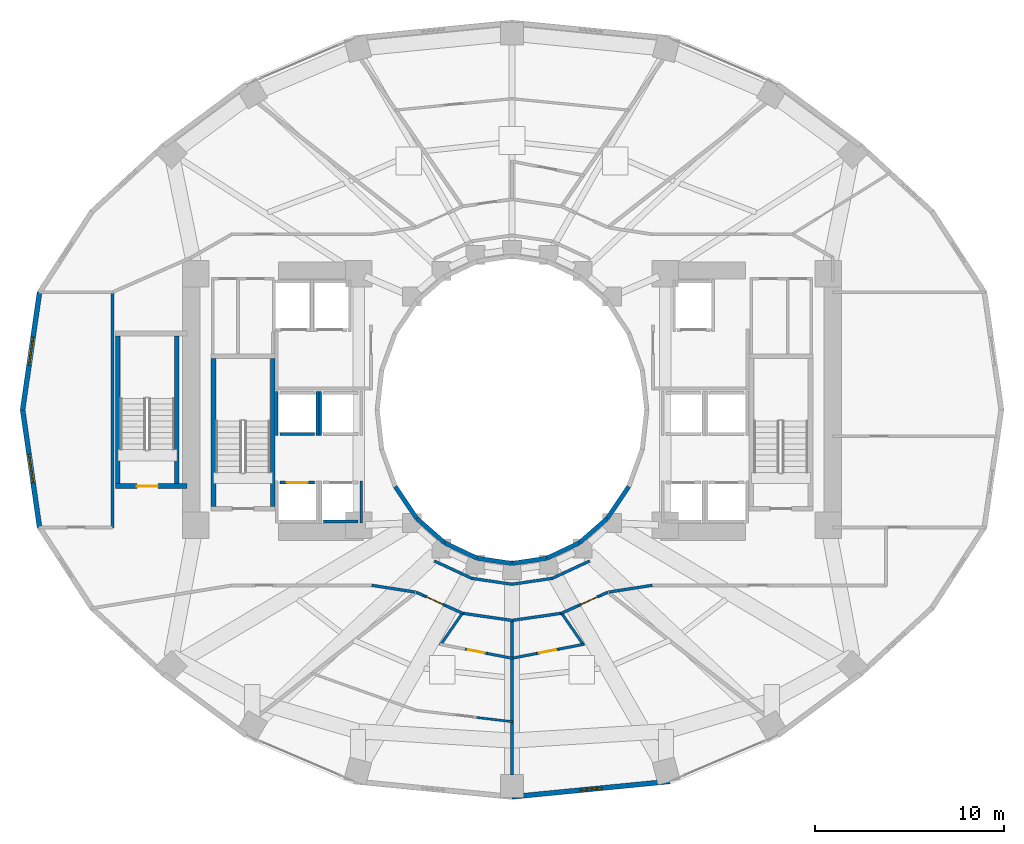
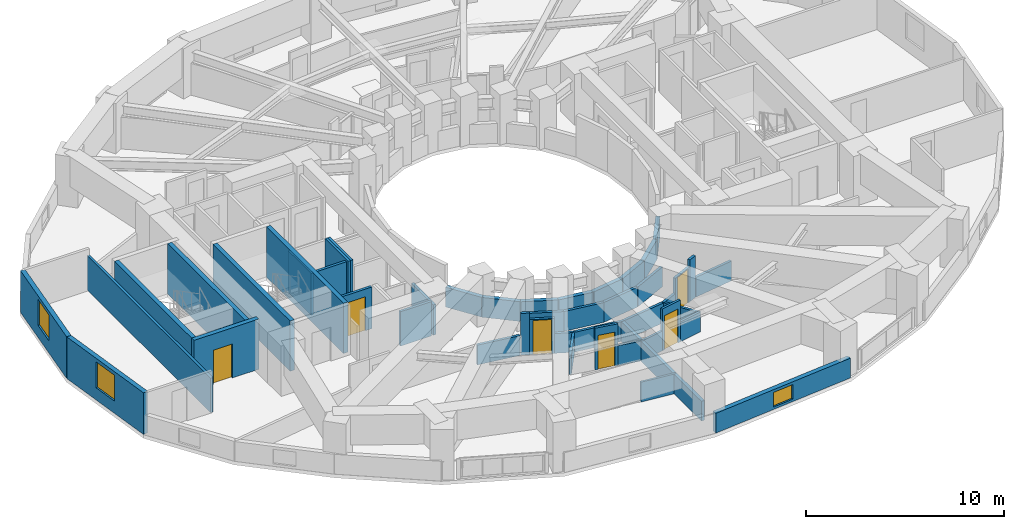
# One storey, part 9 of 16: 47 walls, 6 doors, 3 windows, 9 openings.
"""IFC4 building model written with IfcOpenShell, lengths in metres."""

from ifc_helpers import new_model, si_unit, direction, frame, frame_2d, origin, place, context, subcontext, project, spatial, rectangle, extrude, material, layer, layer_set, type_object, element, fill, save


model = new_model("IFC4")

# Units and contexts
model_context = context("Model", 3, precision=1e-05, world=origin(), true_north=direction((0.0, 1.0)))
body_context = subcontext(model_context, "Body", "Model", "MODEL_VIEW")
ifc_project = project(units=[si_unit("LENGTHUNIT", "METRE"), si_unit("AREAUNIT", "SQUARE_METRE"), si_unit("VOLUMEUNIT", "CUBIC_METRE"), si_unit("PLANEANGLEUNIT", "RADIAN"), si_unit("MASSUNIT", "GRAM", prefix="KILO")], contexts=[model_context])

# Site, building, storey
site_placement = place(None, origin())
site = spatial("IfcSite", under=ifc_project, at=site_placement, CompositionType="ELEMENT")
building_placement = place(site_placement, origin())
building = spatial("IfcBuilding", under=site, at=building_placement, Name="Solvane Sanctuary Tower", CompositionType="ELEMENT")
storey_placement = place(building_placement, frame((0.0, 0.0, 33.800048828125)))
storey = spatial("IfcBuildingStorey", under=building, at=storey_placement, Name="L09", CompositionType="ELEMENT", Elevation=33.800048828125)

# Walls
ifc_material_1 = material(Name="Acoustic Gypsum Partition Board")
ifc_layer_1 = layer(ifc_material_1, 0.14990234375, Name="Acoustic Gypsum Partition Board")
ifc_layer_set_1 = layer_set([ifc_layer_1], Name="Acoustic Gypsum Partition Board")
wall_type_1 = type_object("IfcWallType", Name="Wall W-CORR-150", PredefinedType="PARTITIONING", material=ifc_layer_set_1)
wall_1_placement = place(storey_placement, frame((27.889892578125, 15.01513671875, 0.0), z_axis=(0.0, 0.0, 1.0), x_axis=(0.906943449489, -0.421252393975, 0.0)))
element("IfcWall", 1, at=wall_1_placement, inside=storey, type_object=wall_type_1, Name="L09 Light-Well Corridor Rim Wall S1", PredefinedType="PARTITIONING", context=body_context, shape_type="SweptSolid", body=[
    extrude(rectangle(XDim=2.18603515625, YDim=0.14990234375, at=frame_2d((1.093017578125, 0.0))), origin(), (0.0, 0.0, 1.0), 1.219970703125),
])
for number, where, z_axis, x_axis, name in (
    (2, (29.87255859375, 14.09423828125, 0.0), (0.0, 0.0, 1.0), (0.989268584896, -0.146108408166, 0.0), "L09 Light-Well Corridor Rim Wall S2"),
    (3, (32.0, 13.780029296875, 0.0), (0.0, 0.0, 1.0), (0.989268584896, 0.146108408166, 0.0), "L09 Light-Well Corridor Rim Wall S3"),
):
    element("IfcWall", number, at=place(storey_placement, frame(where, z_axis=z_axis, x_axis=x_axis)), inside=storey, type_object=wall_type_1, Name=name, PredefinedType="PARTITIONING", context=body_context, shape_type="SweptSolid", body=[
        extrude(rectangle(XDim=2.150634765625, YDim=0.14990234375, at=frame_2d((1.0751953125, 0.0))), origin(), (0.0, 0.0, 1.0), 1.219970703125),
    ])
wall_2_placement = place(storey_placement, frame((34.12744140625, 14.09423828125, 0.0), z_axis=(0.0, 0.0, 1.0), x_axis=(0.906943449489, 0.421252393975, 0.0)))
element("IfcWall", 4, at=wall_2_placement, inside=storey, type_object=wall_type_1, Name="L09 Light-Well Corridor Rim Wall S4", PredefinedType="PARTITIONING", context=body_context, shape_type="SweptSolid", body=[
    extrude(rectangle(XDim=2.18603515625, YDim=0.14990234375, at=frame_2d((1.093017578125, 0.0))), origin(), (0.0, 0.0, 1.0), 1.219970703125),
])
wall_3_placement = place(storey_placement, frame((10.8798828125, 16.748291015625, 0.0), z_axis=(0.0, 0.0, 1.0), x_axis=(0.0, 1.0, 0.0)))
element("IfcWall", 5, at=wall_3_placement, inside=storey, type_object=wall_type_1, Name="L09 West Shoulder Back Wall", PredefinedType="PARTITIONING", context=body_context, shape_type="SweptSolid", body=[
    extrude(rectangle(XDim=12.50341796875, YDim=0.14990234375, at=frame_2d((6.251708984375, 0.0))), origin(), (0.0, 0.0, 1.0), 2.119873046875),
])
for number, where, z_axis, x_axis, name in (
    (6, (26.880615234375, 13.369384765625, 0.0), (0.0, 0.0, 1.0), (-0.988184633586, 0.153268163508, 0.0), "L09 SW Corner Throat Wall"),
    (7, (37.119384765625, 13.369384765625, 0.0), (0.0, 0.0, 1.0), (0.988184633586, 0.153268163508, 0.0), "L09 SE Corner Throat Wall"),
):
    element("IfcWall", number, at=place(storey_placement, frame(where, z_axis=z_axis, x_axis=x_axis)), inside=storey, type_object=wall_type_1, Name=name, PredefinedType="PARTITIONING", context=body_context, shape_type="SweptSolid", body=[
        extrude(rectangle(XDim=2.317626953125, YDim=0.14990234375, at=frame_2d((1.15869140625, 0.0))), origin(), (0.0, 0.0, 1.0), 1.219970703125),
    ])
wall_4_placement = place(storey_placement, frame((29.32861328125, 12.25634765625, 0.0), z_axis=(0.0, 0.0, 1.0), x_axis=(0.989701115085, -0.143149232617, 0.0)))
element("IfcWall", 8, at=wall_4_placement, inside=storey, type_object=wall_type_1, Name="L09 En-suite Inner Wall S1", PredefinedType="PARTITIONING", context=body_context, shape_type="SweptSolid", body=[
    extrude(rectangle(XDim=2.749267578125, YDim=0.14990234375, at=frame_2d((1.37451171875, 0.0))), origin(), (0.0, 0.0, 1.0), 1.219970703125),
])
wall_5_placement = place(storey_placement, frame((26.928955078125, 13.364990234375, 0.0), z_axis=(0.0, 0.0, 1.0), x_axis=(0.910185690705, -0.414200444756, 0.0)))
element("IfcWall", 9, at=wall_5_placement, inside=storey, type_object=wall_type_1, Name="L09 Unit Corridor Wall S1", PredefinedType="PARTITIONING", context=body_context, shape_type="SweptSolid", body=[
    extrude(rectangle(XDim=0.462646484375, YDim=0.14990234375, at=frame_2d((0.2314453125, 0.0))), origin(), (0.0, 0.0, 1.0), 2.574951171875),
])

# Wall, opening, door
wall_6_placement = place(storey_placement, frame((27.35009765625, 13.17333984375, 0.0), z_axis=(0.0, 0.0, 1.0), x_axis=(0.910168885926, -0.414237370469, 0.0)))
wall_6 = element("IfcWall", 10, at=wall_6_placement, inside=storey, type_object=wall_type_1, Name="L09 Unit Corridor Wall S1", PredefinedType="PARTITIONING", context=body_context, shape_type="SweptSolid", body=[
    extrude(rectangle(XDim=1.27001953125, YDim=0.14990234375, at=frame_2d((0.635009765625, 0.0))), origin(), (0.0, 0.0, 1.0), 2.159912109375),
])
opening_1_placement = place(wall_6_placement, frame((0.159912109375, 0.0, 0.0)))
opening_1 = element("IfcOpeningElement", 11, at=opening_1_placement, cuts=wall_6, Name="Opening D-L09-25", PredefinedType="OPENING", context=body_context, shape_type="SweptSolid", body=[
    extrude(rectangle(XDim=0.949951171875, YDim=2.10009765625, at=frame_2d((0.47509765625, 1.050048828125))), frame((0.0, 0.0849609375, 0.0), z_axis=(0.0, -1.0, 0.0), x_axis=(1.0, 0.0, 0.0)), (0.0, 0.0, 1.0), 0.169921875),
])
ifc_material_2 = material(Name="Engineered Tropical Hardwood", Category="wood")
door_type_1 = type_object("IfcDoorType", Name="Door D-ROOM-950", OperationType="NOTDEFINED", PredefinedType="DOOR", material=ifc_material_2)
door_1_placement = place(opening_1_placement, origin())
door_1 = element("IfcDoor", 12, at=door_1_placement, inside=storey, type_object=door_type_1, Name="L09 Unit Entrance Door S1", OperationType="SINGLE_SWING_LEFT", OverallHeight=2.10009765625, OverallWidth=0.949951171875, PredefinedType="DOOR", context=body_context, shape_type="SweptSolid", body=[
    extrude(rectangle(XDim=0.949951171875, YDim=2.10009765625, at=frame_2d((0.47509765625, 1.050048828125))), frame((0.0, 0.02490234375, 0.0), z_axis=(0.0, -1.0, 0.0), x_axis=(1.0, 0.0, 0.0)), (0.0, 0.0, 1.0), 0.050048828125),
])
fill(opening_1, door_1)

# Walls
wall_7_placement = place(storey_placement, frame((28.506103515625, 12.647216796875, 0.0), z_axis=(0.0, 0.0, 1.0), x_axis=(0.910210554917, -0.414145802487, 0.0)))
element("IfcWall", 13, at=wall_7_placement, inside=storey, type_object=wall_type_1, Name="L09 Unit Corridor Wall S1", PredefinedType="PARTITIONING", context=body_context, shape_type="SweptSolid", body=[
    extrude(rectangle(XDim=0.965576171875, YDim=0.14990234375, at=frame_2d((0.48291015625, 0.0))), origin(), (0.0, 0.0, 1.0), 1.219970703125),
])
wall_8_placement = place(storey_placement, frame((31.950439453125, 11.86279296875, 0.0), z_axis=(0.0, 0.0, 1.0), x_axis=(0.989701115085, 0.143149232617, 0.0)))
element("IfcWall", 14, at=wall_8_placement, inside=storey, type_object=wall_type_1, Name="L09 En-suite Inner Wall S2", PredefinedType="PARTITIONING", context=body_context, shape_type="SweptSolid", body=[
    extrude(rectangle(XDim=2.749267578125, YDim=0.14990234375, at=frame_2d((1.37451171875, 0.0))), origin(), (0.0, 0.0, 1.0), 1.219970703125),
])
wall_9_placement = place(storey_placement, frame((34.614990234375, 12.247314453125, 0.0), z_axis=(0.0, 0.0, 1.0), x_axis=(0.910210554917, 0.414145802487, 0.0)))
element("IfcWall", 15, at=wall_9_placement, inside=storey, type_object=wall_type_1, Name="L09 Unit Corridor Wall S2", PredefinedType="PARTITIONING", context=body_context, shape_type="SweptSolid", body=[
    extrude(rectangle(XDim=0.965576171875, YDim=0.14990234375, at=frame_2d((0.48291015625, 0.0))), origin(), (0.0, 0.0, 1.0), 1.219970703125),
])

# Wall, opening, door
wall_10_placement = place(storey_placement, frame((35.493896484375, 12.647216796875, 0.0), z_axis=(0.0, 0.0, 1.0), x_axis=(0.910168885926, 0.414237370469, 0.0)))
wall_10 = element("IfcWall", 16, at=wall_10_placement, inside=storey, type_object=wall_type_1, Name="L09 Unit Corridor Wall S2", PredefinedType="PARTITIONING", context=body_context, shape_type="SweptSolid", body=[
    extrude(rectangle(XDim=1.27001953125, YDim=0.14990234375, at=frame_2d((0.635009765625, 0.0))), origin(), (0.0, 0.0, 1.0), 2.159912109375),
])
opening_2_placement = place(wall_10_placement, frame((0.159912109375, 0.0, 0.0)))
opening_2 = element("IfcOpeningElement", 17, at=opening_2_placement, cuts=wall_10, Name="Opening D-L09-27", PredefinedType="OPENING", context=body_context, shape_type="SweptSolid", body=[
    extrude(rectangle(XDim=0.949951171875, YDim=2.10009765625, at=frame_2d((0.47509765625, 1.050048828125))), frame((0.0, 0.0849609375, 0.0), z_axis=(0.0, -1.0, 0.0), x_axis=(1.0, 0.0, 0.0)), (0.0, 0.0, 1.0), 0.169921875),
])
door_2_placement = place(opening_2_placement, origin())
door_2 = element("IfcDoor", 18, at=door_2_placement, inside=storey, type_object=door_type_1, Name="L09 Unit Entrance Door S2", OperationType="SINGLE_SWING_LEFT", OverallHeight=2.10009765625, OverallWidth=0.949951171875, PredefinedType="DOOR", context=body_context, shape_type="SweptSolid", body=[
    extrude(rectangle(XDim=0.949951171875, YDim=2.10009765625, at=frame_2d((0.47509765625, 1.050048828125))), frame((0.0, 0.02490234375, 0.0), z_axis=(0.0, -1.0, 0.0), x_axis=(1.0, 0.0, 0.0)), (0.0, 0.0, 1.0), 0.050048828125),
])
fill(opening_2, door_2)

# Wall
wall_11_placement = place(storey_placement, frame((36.64990234375, 13.17333984375, 0.0), z_axis=(0.0, 0.0, 1.0), x_axis=(0.910185690705, 0.414200444756, 0.0)))
element("IfcWall", 19, at=wall_11_placement, inside=storey, type_object=wall_type_1, Name="L09 Unit Corridor Wall S2", PredefinedType="PARTITIONING", context=body_context, shape_type="SweptSolid", body=[
    extrude(rectangle(XDim=0.462646484375, YDim=0.14990234375, at=frame_2d((0.2314453125, 0.0))), origin(), (0.0, 0.0, 1.0), 2.574951171875),
])

# Wall, opening, window
ifc_material_3 = material(Name="Precast concrete C40/50", Category="concrete")
ifc_layer_2 = layer(ifc_material_3, 0.260009765625, Name="Precast concrete C40/50")
ifc_layer_set_2 = layer_set([ifc_layer_2], Name="Precast concrete C40/50")
wall_type_2 = type_object("IfcWallType", Name="Wall W-EXT-250", PredefinedType="STANDARD", material=ifc_layer_set_2)
wall_12_placement = place(storey_placement, frame((7.033447265625, 29.205322265625, 0.0), z_axis=(0.0, 0.0, 1.0), x_axis=(-0.142528001686, -0.989790770181, 0.0)))
wall_12 = element("IfcWall", 20, at=wall_12_placement, inside=storey, type_object=wall_type_2, Name="L09 Ceramic-Printed Facade Wall 11", PredefinedType="STANDARD", context=body_context, shape_type="SweptSolid", body=[
    extrude(rectangle(XDim=6.269287109375, YDim=0.260009765625, at=frame_2d((3.134765625, 0.0))), origin(), (0.0, 0.0, 1.0), 2.570068359375),
])
opening_3_placement = place(wall_12_placement, frame((2.384521484375, 0.0, 0.75)))
opening_3 = element("IfcOpeningElement", 21, at=opening_3_placement, cuts=wall_12, Name="Opening WN-OPER-1500", PredefinedType="OPENING", context=body_context, shape_type="SweptSolid", body=[
    extrude(rectangle(XDim=1.5, YDim=1.60009765625, at=frame_2d((0.75, 0.800048828125))), frame((0.0, 0.139892578125, 0.0), z_axis=(0.0, -1.0, 0.0), x_axis=(1.0, 0.0, 0.0)), (0.0, 0.0, 1.0), 0.280029296875),
])
ifc_material_4 = material(Name="Dark Ceramic-Fritted Low-E Glass", Category="glass")
window_type_1 = type_object("IfcWindowType", Name="Window WN-OPER-1500", PartitioningType="SINGLE_PANEL", PredefinedType="WINDOW", material=ifc_material_4)
window_1_placement = place(opening_3_placement, origin())
window_1 = element("IfcWindow", 22, at=window_1_placement, inside=storey, type_object=window_type_1, Name="L09 Operable Facade Window 11", OverallHeight=1.60009765625, OverallWidth=1.5, PartitioningType="SINGLE_PANEL", PredefinedType="WINDOW", context=body_context, shape_type="SweptSolid", body=[
    extrude(rectangle(XDim=1.5, YDim=1.60009765625, at=frame_2d((0.75, 0.800048828125))), frame((0.0, 0.030029296875, 0.0), z_axis=(0.0, -1.0, 0.0), x_axis=(1.0, 0.0, 0.0)), (0.0, 0.0, 1.0), 0.06005859375),
])
fill(opening_3, window_1)

wall_13_placement = place(storey_placement, frame((6.139892578125, 23.0, 0.0), z_axis=(0.0, 0.0, 1.0), x_axis=(0.142528001686, -0.989790770181, 0.0)))
wall_13 = element("IfcWall", 23, at=wall_13_placement, inside=storey, type_object=wall_type_2, Name="L09 Ceramic-Printed Facade Wall 12", PredefinedType="STANDARD", context=body_context, shape_type="SweptSolid", body=[
    extrude(rectangle(XDim=6.269287109375, YDim=0.260009765625, at=frame_2d((3.134765625, 0.0))), origin(), (0.0, 0.0, 1.0), 2.570068359375),
])
opening_4_placement = place(wall_13_placement, frame((2.384521484375, 0.0, 0.75)))
opening_4 = element("IfcOpeningElement", 24, at=opening_4_placement, cuts=wall_13, Name="Opening WN-OPER-1500", PredefinedType="OPENING", context=body_context, shape_type="SweptSolid", body=[
    extrude(rectangle(XDim=1.5, YDim=1.60009765625, at=frame_2d((0.75, 0.800048828125))), frame((0.0, 0.139892578125, 0.0), z_axis=(0.0, -1.0, 0.0), x_axis=(1.0, 0.0, 0.0)), (0.0, 0.0, 1.0), 0.280029296875),
])
window_2_placement = place(opening_4_placement, origin())
window_2 = element("IfcWindow", 25, at=window_2_placement, inside=storey, type_object=window_type_1, Name="L09 Operable Facade Window 12", OverallHeight=1.60009765625, OverallWidth=1.5, PartitioningType="SINGLE_PANEL", PredefinedType="WINDOW", context=body_context, shape_type="SweptSolid", body=[
    extrude(rectangle(XDim=1.5, YDim=1.60009765625, at=frame_2d((0.75, 0.800048828125))), frame((0.0, 0.030029296875, 0.0), z_axis=(0.0, -1.0, 0.0), x_axis=(1.0, 0.0, 0.0)), (0.0, 0.0, 1.0), 0.06005859375),
])
fill(opening_4, window_2)

wall_14_placement = place(storey_placement, frame((32.0, 2.548583984375, 0.0), z_axis=(0.0, 0.0, 1.0), x_axis=(0.995247718352, 0.097375454379, 0.0)))
wall_14 = element("IfcWall", 26, at=wall_14_placement, inside=storey, type_object=wall_type_2, Name="L09 Ceramic-Printed Facade Wall 18", PredefinedType="STANDARD", context=body_context, shape_type="SweptSolid", body=[
    extrude(rectangle(XDim=8.37158203125, YDim=0.260009765625, at=frame_2d((4.185791015625, 0.0))), origin(), (0.0, 0.0, 1.0), 1.219970703125),
])
opening_5_placement = place(wall_14_placement, frame((3.585693359375, 0.0, 0.14990234375)))
opening_5 = element("IfcOpeningElement", 27, at=opening_5_placement, cuts=wall_14, Name="Opening WN-OPER-1200", PredefinedType="OPENING", context=body_context, shape_type="SweptSolid", body=[
    extrude(rectangle(XDim=1.199951171875, YDim=0.89990234375, at=frame_2d((0.60009765625, 0.449951171875))), frame((0.0, 0.139892578125, 0.0), z_axis=(0.0, -1.0, 0.0), x_axis=(1.0, 0.0, 0.0)), (0.0, 0.0, 1.0), 0.280029296875),
])
window_type_2 = type_object("IfcWindowType", Name="Window WN-OPER-1200", PartitioningType="SINGLE_PANEL", PredefinedType="WINDOW", material=ifc_material_4)
window_3_placement = place(opening_5_placement, origin())
window_3 = element("IfcWindow", 28, at=window_3_placement, inside=storey, type_object=window_type_2, Name="L09 Operable Facade Window 18", OverallHeight=0.89990234375, OverallWidth=1.199951171875, PartitioningType="SINGLE_PANEL", PredefinedType="WINDOW", context=body_context, shape_type="SweptSolid", body=[
    extrude(rectangle(XDim=1.199951171875, YDim=0.89990234375, at=frame_2d((0.60009765625, 0.449951171875))), frame((0.0, 0.030029296875, 0.0), z_axis=(0.0, -1.0, 0.0), x_axis=(1.0, 0.0, 0.0)), (0.0, 0.0, 1.0), 0.06005859375),
])
fill(opening_5, window_3)

# Walls
ifc_layer_3 = layer(ifc_material_3, 0.22998046875, Name="Precast concrete C40/50")
ifc_layer_set_3 = layer_set([ifc_layer_3], Name="Precast concrete C40/50")
wall_type_3 = type_object("IfcWallType", Name="Wall W-EXT-SP220", PredefinedType="STANDARD", material=ifc_layer_set_3)
wall_15_placement = place(storey_placement, frame((25.833984375, 18.93994140625, 0.0), z_axis=(0.0, 0.0, 1.0), x_axis=(0.558197800898, -0.829707909492, 0.0)))
element("IfcWall", 29, at=wall_15_placement, inside=storey, type_object=wall_type_3, Name="L09 Central Light-Well Wall 14", PredefinedType="STANDARD", context=body_context, shape_type="SweptSolid", body=[
    extrude(rectangle(XDim=2.02685546875, YDim=0.22998046875, at=frame_2d((1.013427734375, 0.0))), origin(), (0.0, 0.0, 1.0), 1.219970703125),
])
wall_16_placement = place(storey_placement, frame((26.96533203125, 17.25830078125, 0.0), z_axis=(0.0, 0.0, 1.0), x_axis=(0.752576694707, -0.658504607869, 0.0)))
element("IfcWall", 30, at=wall_16_placement, inside=storey, type_object=wall_type_3, Name="L09 Central Light-Well Wall 15", PredefinedType="STANDARD", context=body_context, shape_type="SweptSolid", body=[
    extrude(rectangle(XDim=1.95947265625, YDim=0.22998046875, at=frame_2d((0.979736328125, 0.0))), origin(), (0.0, 0.0, 1.0), 1.219970703125),
])
wall_17_placement = place(storey_placement, frame((28.43994140625, 15.968017578125, 0.0), z_axis=(0.0, 0.0, 1.0), x_axis=(0.904179699603, -0.427152280606, 0.0)))
element("IfcWall", 31, at=wall_17_placement, inside=storey, type_object=wall_type_3, Name="L09 Central Light-Well Wall 16", PredefinedType="STANDARD", context=body_context, shape_type="SweptSolid", body=[
    extrude(rectangle(XDim=1.899169921875, YDim=0.22998046875, at=frame_2d((0.94970703125, 0.0))), origin(), (0.0, 0.0, 1.0), 1.219970703125),
])
for number, where, z_axis, x_axis, name in (
    (32, (30.1572265625, 15.15673828125, 0.0), (0.0, 0.0, 1.0), (0.988901730308, -0.148571086668, 0.0), "L09 Central Light-Well Wall 17"),
    (33, (32.0, 14.8798828125, 0.0), (0.0, 0.0, 1.0), (0.988901730308, 0.148571086668, 0.0), "L09 Central Light-Well Wall 18"),
):
    element("IfcWall", number, at=place(storey_placement, frame(where, z_axis=z_axis, x_axis=x_axis)), inside=storey, type_object=wall_type_3, Name=name, PredefinedType="STANDARD", context=body_context, shape_type="SweptSolid", body=[
        extrude(rectangle(XDim=1.863525390625, YDim=0.22998046875, at=frame_2d((0.931640625, 0.0))), origin(), (0.0, 0.0, 1.0), 1.219970703125),
    ])
wall_18_placement = place(storey_placement, frame((33.8427734375, 15.15673828125, 0.0), z_axis=(0.0, 0.0, 1.0), x_axis=(0.904179699603, 0.427152280606, 0.0)))
element("IfcWall", 34, at=wall_18_placement, inside=storey, type_object=wall_type_3, Name="L09 Central Light-Well Wall 19", PredefinedType="STANDARD", context=body_context, shape_type="SweptSolid", body=[
    extrude(rectangle(XDim=1.899169921875, YDim=0.22998046875, at=frame_2d((0.94970703125, 0.0))), origin(), (0.0, 0.0, 1.0), 1.219970703125),
])
wall_19_placement = place(storey_placement, frame((35.56005859375, 15.968017578125, 0.0), z_axis=(0.0, 0.0, 1.0), x_axis=(0.752576694707, 0.658504607869, 0.0)))
element("IfcWall", 35, at=wall_19_placement, inside=storey, type_object=wall_type_3, Name="L09 Central Light-Well Wall 20", PredefinedType="STANDARD", context=body_context, shape_type="SweptSolid", body=[
    extrude(rectangle(XDim=1.95947265625, YDim=0.22998046875, at=frame_2d((0.979736328125, 0.0))), origin(), (0.0, 0.0, 1.0), 1.219970703125),
])
wall_20_placement = place(storey_placement, frame((37.03466796875, 17.25830078125, 0.0), z_axis=(0.0, 0.0, 1.0), x_axis=(0.558197800898, 0.829707909492, 0.0)))
element("IfcWall", 36, at=wall_20_placement, inside=storey, type_object=wall_type_3, Name="L09 Central Light-Well Wall 21", PredefinedType="STANDARD", context=body_context, shape_type="SweptSolid", body=[
    extrude(rectangle(XDim=2.02685546875, YDim=0.22998046875, at=frame_2d((1.013427734375, 0.0))), origin(), (0.0, 0.0, 1.0), 1.219970703125),
])
ifc_layer_4 = layer(ifc_material_1, 0.1201171875, Name="Acoustic Gypsum Partition Board")
ifc_layer_set_4 = layer_set([ifc_layer_4], Name="Acoustic Gypsum Partition Board")
wall_type_4 = type_object("IfcWallType", Name="Wall W-MOV-100", PredefinedType="MOVABLE", material=ifc_layer_set_4)
wall_21_placement = place(storey_placement, frame((30.121337890625, 6.7431640625, 0.0), z_axis=(0.0, 0.0, 1.0), x_axis=(0.993052427277, -0.117672752492, 0.0)))
element("IfcWall", 37, at=wall_21_placement, inside=storey, type_object=wall_type_4, Name="L09 Suite Sitting Lounge Partition S1", PredefinedType="MOVABLE", context=body_context, shape_type="SweptSolid", body=[
    extrude(rectangle(XDim=1.94189453125, YDim=0.1201171875, at=frame_2d((0.970947265625, 0.0))), origin(), (0.0, 0.0, 1.0), 1.219970703125),
])

# Wall, opening, door
ifc_material_5 = material(Name="Concrete C50/60", Category="concrete")
ifc_layer_5 = layer(ifc_material_5, 0.14990234375, Name="Concrete C50/60")
ifc_layer_set_5 = layer_set([ifc_layer_5], Name="Concrete C50/60")
wall_type_5 = type_object("IfcWallType", Name="Wall W-SHAFT-150", PredefinedType="SOLIDWALL", material=ifc_layer_set_5)
wall_22_placement = place(storey_placement, frame((19.739990234375, 19.159912109375, 0.0), z_axis=(0.0, 0.0, 1.0), x_axis=(1.0, 0.0, 0.0)))
wall_22 = element("IfcWall", 38, at=wall_22_placement, inside=storey, type_object=wall_type_5, Name="L09 PL-1 Lift Shaft Wall F", PredefinedType="SOLIDWALL", context=body_context, shape_type="SweptSolid", body=[
    extrude(rectangle(XDim=1.820068359375, YDim=0.14990234375, at=frame_2d((0.91015625, 0.0))), origin(), (0.0, 0.0, 1.0), 2.574951171875),
])
opening_6_placement = place(wall_22_placement, frame((0.360107421875, 0.0, 0.0)))
opening_6 = element("IfcOpeningElement", 39, at=opening_6_placement, cuts=wall_22, Name="Opening LD-L09-01", PredefinedType="OPENING", context=body_context, shape_type="SweptSolid", body=[
    extrude(rectangle(XDim=1.10009765625, YDim=2.10009765625, at=frame_2d((0.550048828125, 1.050048828125))), frame((0.0, 0.0849609375, 0.0), z_axis=(0.0, -1.0, 0.0), x_axis=(1.0, 0.0, 0.0)), (0.0, 0.0, 1.0), 0.169921875),
])
ifc_material_6 = material(Name="Architectural Stainless Steel 316", Category="steel")
door_type_2 = type_object("IfcDoorType", Name="Door LD-PASS-1100", OperationType="NOTDEFINED", PredefinedType="DOOR", material=ifc_material_6)
door_3_placement = place(opening_6_placement, origin())
door_3 = element("IfcDoor", 40, at=door_3_placement, inside=storey, type_object=door_type_2, Name="L09 PL-1 Lift Landing Door", OperationType="DOUBLE_DOOR_SLIDING", OverallHeight=2.10009765625, OverallWidth=1.10009765625, PredefinedType="DOOR", context=body_context, shape_type="SweptSolid", body=[
    extrude(rectangle(XDim=1.10009765625, YDim=2.10009765625, at=frame_2d((0.550048828125, 1.050048828125))), frame((0.0, 0.02490234375, 0.0), z_axis=(0.0, -1.0, 0.0), x_axis=(1.0, 0.0, 0.0)), (0.0, 0.0, 1.0), 0.050048828125),
])
fill(opening_6, door_3)

# Walls
wall_23_placement = place(storey_placement, frame((22.0400390625, 17.10009765625, 0.0), z_axis=(0.0, 0.0, 1.0), x_axis=(1.0, 0.0, 0.0)))
element("IfcWall", 41, at=wall_23_placement, inside=storey, type_object=wall_type_5, Name="L09 PL-2 Lift Shaft Wall B", PredefinedType="SOLIDWALL", context=body_context, shape_type="SweptSolid", body=[
    extrude(rectangle(XDim=1.820068359375, YDim=0.14990234375, at=frame_2d((0.91015625, 0.0))), origin(), (0.0, 0.0, 1.0), 2.119873046875),
])
wall_24_placement = place(storey_placement, frame((24.030029296875, 17.02001953125, 0.0), z_axis=(0.0, 0.0, 1.0), x_axis=(0.0, 1.0, 0.0)))
element("IfcWall", 42, at=wall_24_placement, inside=storey, type_object=wall_type_5, Name="L09 PL-2 Lift Shaft Wall S2", PredefinedType="SOLIDWALL", context=body_context, shape_type="SweptSolid", body=[
    extrude(rectangle(XDim=2.219970703125, YDim=0.14990234375, at=frame_2d((1.10986328125, 0.0))), origin(), (0.0, 0.0, 1.0), 1.873046875),
])
wall_25_placement = place(storey_placement, frame((19.739990234375, 21.719970703125, 0.0), z_axis=(0.0, 0.0, 1.0), x_axis=(1.0, 0.0, 0.0)))
element("IfcWall", 43, at=wall_25_placement, inside=storey, type_object=wall_type_5, Name="L09 PM-1 Lift Shaft Wall F", PredefinedType="SOLIDWALL", context=body_context, shape_type="SweptSolid", body=[
    extrude(rectangle(XDim=1.820068359375, YDim=0.14990234375, at=frame_2d((0.91015625, 0.0))), origin(), (0.0, 0.0, 1.0), 2.574951171875),
])
for number, where, z_axis, x_axis, name in (
    (44, (19.570068359375, 21.639892578125, 0.0), (0.0, 0.0, 1.0), (0.0, 1.0, 0.0), "L09 PM-1 Lift Shaft Wall S1"),
    (45, (21.72998046875, 21.639892578125, 0.0), (0.0, 0.0, 1.0), (0.0, 1.0, 0.0), "L09 PM-1 Lift Shaft Wall S2"),
    (46, (21.8701171875, 21.639892578125, 0.0), (0.0, 0.0, 1.0), (0.0, 1.0, 0.0), "L09 PH-1 Lift Shaft Wall S1"),
):
    element("IfcWall", number, at=place(storey_placement, frame(where, z_axis=z_axis, x_axis=x_axis)), inside=storey, type_object=wall_type_5, Name=name, PredefinedType="SOLIDWALL", context=body_context, shape_type="SweptSolid", body=[
        extrude(rectangle(XDim=2.320068359375, YDim=0.14990234375, at=frame_2d((1.16015625, 0.0))), origin(), (0.0, 0.0, 1.0), 2.574951171875),
    ])
ifc_layer_6 = layer(ifc_material_5, 0.25, Name="Concrete C50/60")
ifc_layer_set_6 = layer_set([ifc_layer_6], Name="Concrete C50/60")
wall_type_6 = type_object("IfcWallType", Name="Wall W-SHAFT-250", PredefinedType="SOLIDWALL", material=ifc_layer_set_6)
for number, where, z_axis, x_axis, name in (
    (47, (16.22998046875, 17.89501953125, 0.0), (0.0, 0.0, 1.0), (0.0, 1.0, 0.0), "L09 ST-1 Load-Bearing Shaft Wall W"),
    (48, (19.35009765625, 17.89501953125, 0.0), (0.0, 0.0, 1.0), (0.0, 1.0, 0.0), "L09 ST-1 Load-Bearing Shaft Wall E"),
):
    element("IfcWall", number, at=place(storey_placement, frame(where, z_axis=z_axis, x_axis=x_axis)), inside=storey, type_object=wall_type_6, Name=name, PredefinedType="SOLIDWALL", context=body_context, shape_type="SweptSolid", body=[
        extrude(rectangle(XDim=7.81005859375, YDim=0.25, at=frame_2d((3.905029296875, 0.0))), origin(), (0.0, 0.0, 1.0), 3.099853515625),
    ])

# Wall, opening, door
wall_26_placement = place(storey_placement, frame((11.044921875, 18.969970703125, 0.0), z_axis=(0.0, 0.0, 1.0), x_axis=(1.0, 0.0, 0.0)))
wall_26 = element("IfcWall", 49, at=wall_26_placement, inside=storey, type_object=wall_type_6, Name="L09 ST-3 Load-Bearing Shaft Wall S", PredefinedType="SOLIDWALL", context=body_context, shape_type="SweptSolid", body=[
    extrude(rectangle(XDim=3.781982421875, YDim=0.25, at=frame_2d((1.89111328125, 0.0))), origin(), (0.0, 0.0, 1.0), 3.099853515625),
])
opening_7_placement = place(wall_26_placement, frame((1.135009765625, 0.0, 0.0)))
opening_7 = element("IfcOpeningElement", 50, at=opening_7_placement, cuts=wall_26, Name="Opening D-L09-03", PredefinedType="OPENING", context=body_context, shape_type="SweptSolid", body=[
    extrude(rectangle(XDim=1.10009765625, YDim=2.10009765625, at=frame_2d((0.550048828125, 1.050048828125))), frame((0.0, 0.135009765625, 0.0), z_axis=(0.0, -1.0, 0.0), x_axis=(1.0, 0.0, 0.0)), (0.0, 0.0, 1.0), 0.27001953125),
])
door_type_3 = type_object("IfcDoorType", Name="Door D-STAIR", OperationType="NOTDEFINED", PredefinedType="DOOR", material=ifc_material_6)
door_4_placement = place(opening_7_placement, origin())
door_4 = element("IfcDoor", 51, at=door_4_placement, inside=storey, type_object=door_type_3, Name="L09 ST-3 Exit Stair Fire Door", OperationType="SINGLE_SWING_LEFT", OverallHeight=2.10009765625, OverallWidth=1.10009765625, PredefinedType="DOOR", context=body_context, shape_type="SweptSolid", body=[
    extrude(rectangle(XDim=1.10009765625, YDim=2.10009765625, at=frame_2d((0.550048828125, 1.050048828125))), frame((0.0, 0.02490234375, 0.0), z_axis=(0.0, -1.0, 0.0), x_axis=(1.0, 0.0, 0.0)), (0.0, 0.0, 1.0), 0.050048828125),
])
fill(opening_7, door_4)

# Walls
for number, where, z_axis, x_axis, name in (
    (52, (11.169921875, 19.094970703125, 0.0), (0.0, 0.0, 1.0), (0.0, 1.0, 0.0), "L09 ST-3 Load-Bearing Shaft Wall W"),
    (53, (14.2900390625, 19.094970703125, 0.0), (0.0, 0.0, 1.0), (0.0, 1.0, 0.0), "L09 ST-3 Load-Bearing Shaft Wall E"),
):
    element("IfcWall", number, at=place(storey_placement, frame(where, z_axis=z_axis, x_axis=x_axis)), inside=storey, type_object=wall_type_6, Name=name, PredefinedType="SOLIDWALL", context=body_context, shape_type="SweptSolid", body=[
        extrude(rectangle(XDim=7.81005859375, YDim=0.25, at=frame_2d((3.905029296875, 0.0))), origin(), (0.0, 0.0, 1.0), 3.099853515625),
    ])
ifc_layer_7 = layer(ifc_material_1, 0.179931640625, Name="Acoustic Gypsum Partition Board")
ifc_layer_set_7 = layer_set([ifc_layer_7], Name="Acoustic Gypsum Partition Board")
wall_type_7 = type_object("IfcWallType", Name="Wall W-UNIT-180", PredefinedType="PARTITIONING", material=ifc_layer_set_7)
wall_27_placement = place(storey_placement, frame((32.0, 11.81494140625, 0.0), z_axis=(0.0, 0.0, 1.0), x_axis=(0.0, -1.0, 0.0)))
element("IfcWall", 54, at=wall_27_placement, inside=storey, type_object=wall_type_7, Name="L09 Radial Compartment Wall 270", PredefinedType="PARTITIONING", context=body_context, shape_type="SweptSolid", body=[
    extrude(rectangle(XDim=8.114990234375, YDim=0.179931640625, at=frame_2d((4.0576171875, 0.0))), origin(), (0.0, 0.0, 1.0), 1.219970703125),
])
ifc_layer_8 = layer(ifc_material_1, 0.139892578125, Name="Acoustic Gypsum Partition Board")
ifc_layer_set_8 = layer_set([ifc_layer_8], Name="Acoustic Gypsum Partition Board")
wall_type_8 = type_object("IfcWallType", Name="Wall W-WET-140", PredefinedType="PLUMBINGWALL", material=ifc_layer_set_8)
wall_28_placement = place(storey_placement, frame((29.406494140625, 12.290283203125, 0.0), z_axis=(0.0, 0.0, 1.0), x_axis=(-0.568653635333, -0.822577074214, 0.0)))
element("IfcWall", 55, at=wall_28_placement, inside=storey, type_object=wall_type_8, Name="L09 En-suite Side Partition S1", PredefinedType="PLUMBINGWALL", context=body_context, shape_type="SweptSolid", body=[
    extrude(rectangle(XDim=2.099853515625, YDim=0.139892578125, at=frame_2d((1.0498046875, 0.0))), origin(), (0.0, 0.0, 1.0), 1.219970703125),
])

# Wall, opening, door
wall_29_placement = place(storey_placement, frame((29.521728515625, 10.35400390625, 0.0), z_axis=(0.0, 0.0, 1.0), x_axis=(0.981455717174, -0.191689006535, 0.0)))
wall_29 = element("IfcWall", 56, at=wall_29_placement, inside=storey, type_object=wall_type_8, Name="L09 En-suite Bedroom Wall S1", PredefinedType="PLUMBINGWALL", context=body_context, shape_type="SweptSolid", body=[
    extrude(rectangle(XDim=1.22021484375, YDim=0.139892578125, at=frame_2d((0.610107421875, 0.0))), origin(), (0.0, 0.0, 1.0), 2.574951171875),
])
opening_8_placement = place(wall_29_placement, frame((0.159912109375, 0.0, 0.0)))
opening_8 = element("IfcOpeningElement", 57, at=opening_8_placement, cuts=wall_29, Name="Opening D-L09-24", PredefinedType="OPENING", context=body_context, shape_type="SweptSolid", body=[
    extrude(rectangle(XDim=0.89990234375, YDim=2.10009765625, at=frame_2d((0.449951171875, 1.050048828125))), frame((0.0, 0.079833984375, 0.0), z_axis=(0.0, -1.0, 0.0), x_axis=(1.0, 0.0, 0.0)), (0.0, 0.0, 1.0), 0.159912109375),
])
door_type_4 = type_object("IfcDoorType", Name="Door D-WET-900", OperationType="NOTDEFINED", PredefinedType="DOOR", material=ifc_material_2)
door_5_placement = place(opening_8_placement, origin())
door_5 = element("IfcDoor", 58, at=door_5_placement, inside=storey, type_object=door_type_4, Name="L09 En-suite Bathroom Door S1", OperationType="SINGLE_SWING_RIGHT", OverallHeight=2.10009765625, OverallWidth=0.89990234375, PredefinedType="DOOR", context=body_context, shape_type="SweptSolid", body=[
    extrude(rectangle(XDim=0.89990234375, YDim=2.10009765625, at=frame_2d((0.449951171875, 1.050048828125))), frame((0.0, 0.02490234375, 0.0), z_axis=(0.0, -1.0, 0.0), x_axis=(1.0, 0.0, 0.0)), (0.0, 0.0, 1.0), 0.050048828125),
])
fill(opening_8, door_5)

# Walls
wall_30_placement = place(storey_placement, frame((30.71923828125, 10.1201171875, 0.0), z_axis=(0.0, 0.0, 1.0), x_axis=(0.981450920641, -0.191713563349, 0.0)))
element("IfcWall", 59, at=wall_30_placement, inside=storey, type_object=wall_type_8, Name="L09 En-suite Bedroom Wall S1", PredefinedType="PLUMBINGWALL", context=body_context, shape_type="SweptSolid", body=[
    extrude(rectangle(XDim=1.35498046875, YDim=0.139892578125, at=frame_2d((0.677490234375, 0.0))), origin(), (0.0, 0.0, 1.0), 1.219970703125),
])
wall_31_placement = place(storey_placement, frame((34.593505859375, 12.290283203125, 0.0), z_axis=(0.0, 0.0, 1.0), x_axis=(0.568653635333, -0.822577074214, 0.0)))
element("IfcWall", 60, at=wall_31_placement, inside=storey, type_object=wall_type_8, Name="L09 En-suite Side Partition S2", PredefinedType="PLUMBINGWALL", context=body_context, shape_type="SweptSolid", body=[
    extrude(rectangle(XDim=2.099853515625, YDim=0.139892578125, at=frame_2d((1.0498046875, 0.0))), origin(), (0.0, 0.0, 1.0), 1.219970703125),
])
wall_32_placement = place(storey_placement, frame((31.950927734375, 9.8603515625, 0.0), z_axis=(0.0, 0.0, 1.0), x_axis=(0.981457541308, 0.191679666658, 0.0)))
element("IfcWall", 61, at=wall_32_placement, inside=storey, type_object=wall_type_8, Name="L09 En-suite Bedroom Wall S2", PredefinedType="PLUMBINGWALL", context=body_context, shape_type="SweptSolid", body=[
    extrude(rectangle(XDim=1.355224609375, YDim=0.139892578125, at=frame_2d((0.677734375, 0.0))), origin(), (0.0, 0.0, 1.0), 1.219970703125),
])

# Wall, opening, door
wall_33_placement = place(storey_placement, frame((33.281005859375, 10.1201171875, 0.0), z_axis=(0.0, 0.0, 1.0), x_axis=(0.981448362659, 0.191726658121, 0.0)))
wall_33 = element("IfcWall", 62, at=wall_33_placement, inside=storey, type_object=wall_type_8, Name="L09 En-suite Bedroom Wall S2", PredefinedType="PLUMBINGWALL", context=body_context, shape_type="SweptSolid", body=[
    extrude(rectangle(XDim=1.219970703125, YDim=0.139892578125, at=frame_2d((0.60986328125, 0.0))), origin(), (0.0, 0.0, 1.0), 2.574951171875),
])
opening_9_placement = place(wall_33_placement, frame((0.159912109375, 0.0, 0.0)))
opening_9 = element("IfcOpeningElement", 63, at=opening_9_placement, cuts=wall_33, Name="Opening D-L09-26", PredefinedType="OPENING", context=body_context, shape_type="SweptSolid", body=[
    extrude(rectangle(XDim=0.89990234375, YDim=2.10009765625, at=frame_2d((0.449951171875, 1.050048828125))), frame((0.0, 0.079833984375, 0.0), z_axis=(0.0, -1.0, 0.0), x_axis=(1.0, 0.0, 0.0)), (0.0, 0.0, 1.0), 0.159912109375),
])
door_6_placement = place(opening_9_placement, origin())
door_6 = element("IfcDoor", 64, at=door_6_placement, inside=storey, type_object=door_type_4, Name="L09 En-suite Bathroom Door S2", OperationType="SINGLE_SWING_RIGHT", OverallHeight=2.10009765625, OverallWidth=0.89990234375, PredefinedType="DOOR", context=body_context, shape_type="SweptSolid", body=[
    extrude(rectangle(XDim=0.89990234375, YDim=2.10009765625, at=frame_2d((0.449951171875, 1.050048828125))), frame((0.0, 0.02490234375, 0.0), z_axis=(0.0, -1.0, 0.0), x_axis=(1.0, 0.0, 0.0)), (0.0, 0.0, 1.0), 0.050048828125),
])
fill(opening_9, door_6)

# Wall
wall_34_placement = place(storey_placement, frame((34.478271484375, 10.35400390625, 0.0), z_axis=(0.0, 0.0, 1.0), x_axis=(0.981484809036, 0.191539994861, 0.0)))
element("IfcWall", 65, at=wall_34_placement, inside=storey, type_object=wall_type_8, Name="L09 En-suite Bedroom Wall S2", PredefinedType="PLUMBINGWALL", context=body_context, shape_type="SweptSolid", body=[
    extrude(rectangle(XDim=1.35498046875, YDim=0.139892578125, at=frame_2d((0.677490234375, 0.0))), origin(), (0.0, 0.0, 1.0), 1.219970703125),
])

save(model, "model.ifc")
